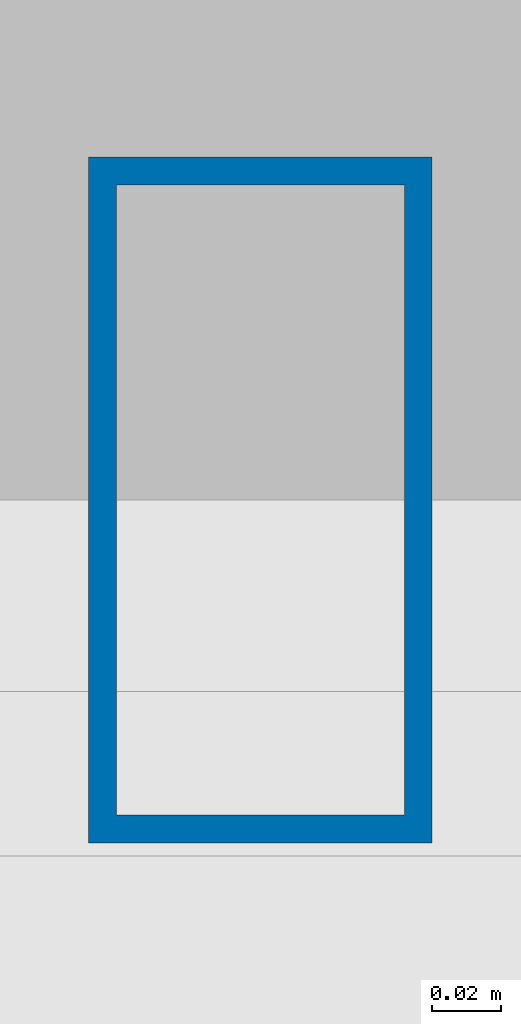
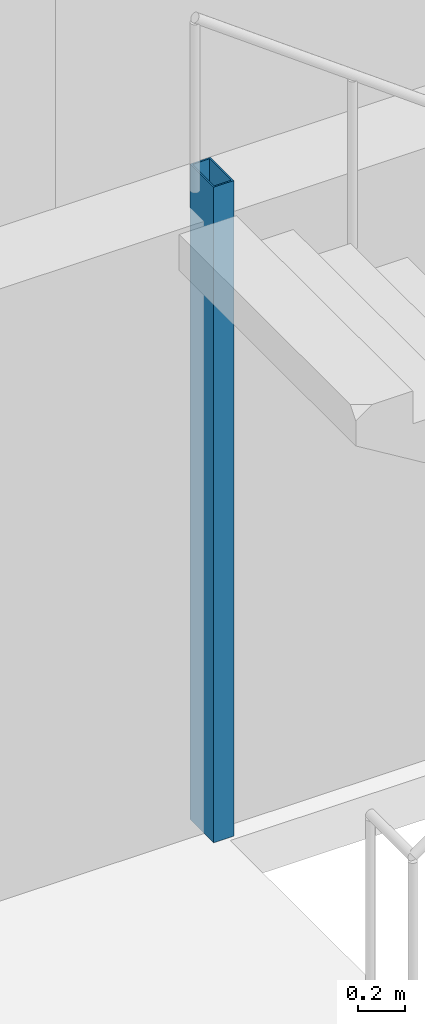
# One storey, part 2 of 19: 1 column.
"""IFC4 building model written with IfcOpenShell, lengths in metres."""

from ifc_helpers import new_model, si_unit, direction, frame, origin, origin_2d, place, context, subcontext, project, spatial, hollow_rectangle, extrude, material, material_profile, profile_set, type_object, element, save


model = new_model("IFC4")

# Units and contexts
model_context = context("Model", 3, precision=1e-05, world=origin(), true_north=direction((0.0, 1.0)))
body_context = subcontext(model_context, "Body", "Model", "MODEL_VIEW")
ifc_project = project(units=[si_unit("LENGTHUNIT", "METRE"), si_unit("AREAUNIT", "SQUARE_METRE"), si_unit("VOLUMEUNIT", "CUBIC_METRE"), si_unit("PLANEANGLEUNIT", "RADIAN"), si_unit("MASSUNIT", "GRAM", prefix="KILO")], contexts=[model_context])

# Site, building, storey
site_placement = place(None, origin())
site = spatial("IfcSite", under=ifc_project, at=site_placement, CompositionType="ELEMENT")
building_placement = place(site_placement, origin())
building = spatial("IfcBuilding", under=site, at=building_placement, Name="Menara Jurai Vektor", CompositionType="ELEMENT")
storey_placement = place(building_placement, frame((0.0, 0.0, 195.60009765625)))
storey = spatial("IfcBuildingStorey", under=building, at=storey_placement, Name="L51", CompositionType="ELEMENT", Elevation=195.60009765625)

# Column
ifc_material = material(Name="Steel S355", Category="steel")
ifc_material_profile = material_profile(ifc_material, hollow_rectangle(XDim=0.10009765625, YDim=0.199951171875, WallThickness=0.008056640625, at=origin_2d()), Name="RHS 200x100x8")
ifc_profile_set = profile_set([ifc_material_profile], Name="Steel S355")
column_type = type_object("IfcColumnType", Name="STR-COL-STAIR", PredefinedType="COLUMN", material=ifc_profile_set)
column_placement = place(storey_placement, frame((-11.1201171875, 5.419921875, 0.0), z_axis=(0.0, 0.0, 1.0), x_axis=(1.0, 0.0, 0.0)))
element("IfcColumn", 1, at=column_placement, inside=storey, type_object=column_type, Name="Stair Well Header Column ST1-P2 L51", PredefinedType="COLUMN", context=body_context, shape_type="SweptSolid", body=[
    extrude(hollow_rectangle(XDim=0.10009765625, YDim=0.199951171875, WallThickness=0.008056640625, at=origin_2d()), origin(), (0.0, 0.0, 1.0), 3.39990234375),
])

save(model, "model.ifc")
